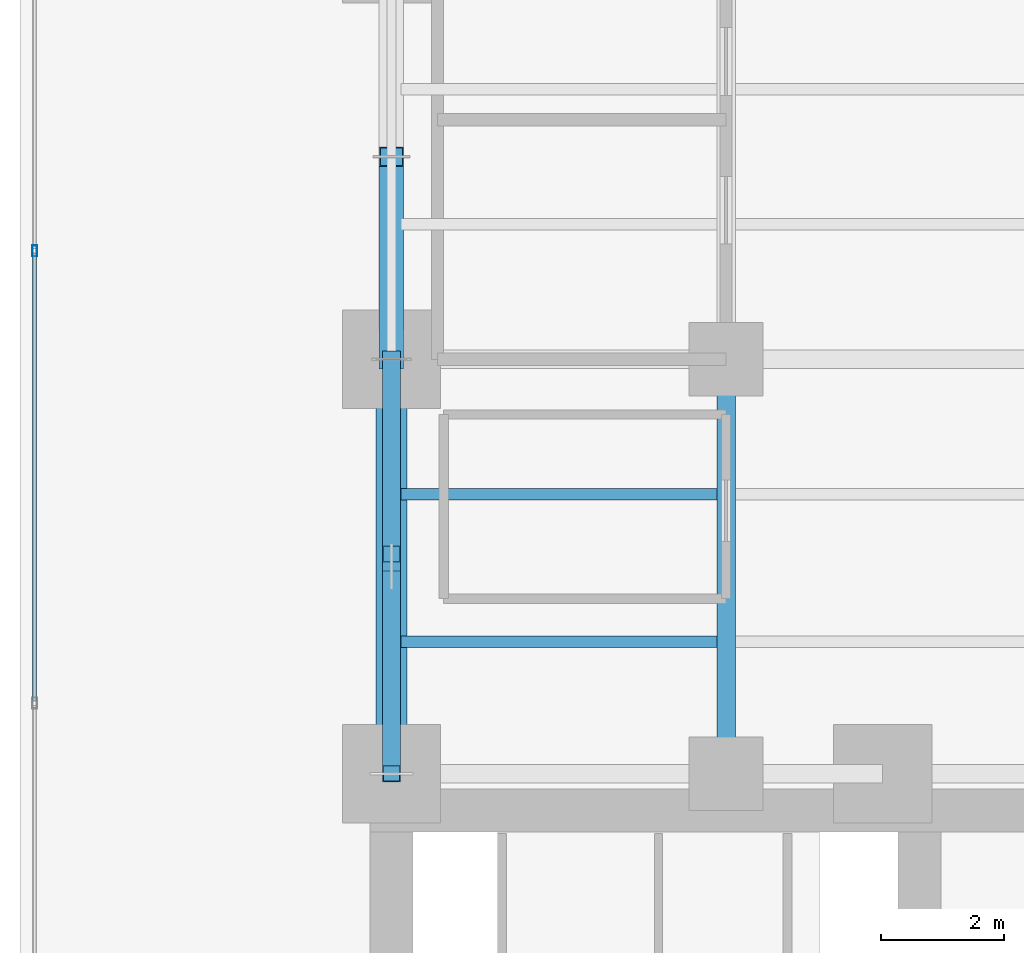
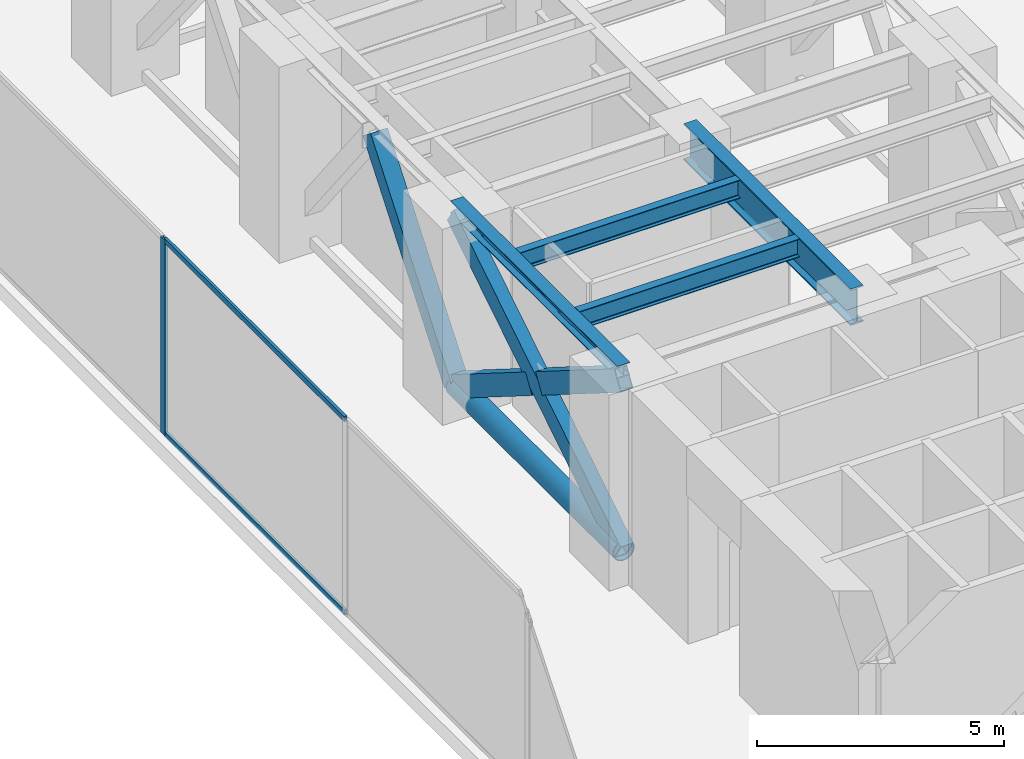
# One storey, part 9 of 36: 8 members, 4 beams, 1 element without a shape of its own.
"""IFC4 building model written with IfcOpenShell, lengths in metres."""

from ifc_helpers import new_model, si_unit, direction, frame, origin, origin_with_axes, origin_2d, place, context, subcontext, project, spatial, hollow_rectangle, hollow_circle, i_section, extrude, source, transform, mapped, material, layer, layer_set, material_profile, profile_set, type_object, element, aggregate, save


model = new_model("IFC4")

# Units and contexts
model_context = context("Model", 3, precision=1e-05, world=origin(), true_north=direction((0.0, 1.0)))
body_context = subcontext(model_context, "Body", "Model", "MODEL_VIEW")
ifc_project = project(units=[si_unit("LENGTHUNIT", "METRE"), si_unit("AREAUNIT", "SQUARE_METRE"), si_unit("VOLUMEUNIT", "CUBIC_METRE"), si_unit("PLANEANGLEUNIT", "RADIAN"), si_unit("MASSUNIT", "GRAM", prefix="KILO")], contexts=[model_context])

# Site, building, storey
site_placement = place(None, origin())
site = spatial("IfcSite", under=ifc_project, at=site_placement, CompositionType="ELEMENT")
building_placement = place(site_placement, origin())
building = spatial("IfcBuilding", under=site, at=building_placement, Name="Kolvaren Waterfront Exchange", CompositionType="ELEMENT")
storey_placement = place(building_placement, frame((0.0, 0.0, 82.800048828125)))
storey = spatial("IfcBuildingStorey", under=building, at=storey_placement, Name="L21", CompositionType="ELEMENT", Elevation=82.800048828125)

# Beams
ifc_material_1 = material(Name="Steel S355", Category="steel")
ifc_material_profile_1 = material_profile(ifc_material_1, i_section(OverallWidth=0.300048828125, OverallDepth=0.300048828125, WebThickness=0.010986328125, FlangeThickness=0.01904296875, FilletRadius=0.027099609375, at=origin_2d()), Name="HEB300")
ifc_profile_set_1 = profile_set([ifc_material_profile_1], Name="Steel S355")
beam_type_1 = type_object("IfcBeamType", Name="STR-BM-HEB300", PredefinedType="SPANDREL", material=ifc_profile_set_1)
beam_1_placement = place(storey_placement, frame((7.449951171875, 24.449951171875, 4.68994140625), z_axis=(0.0, 1.0, 0.0), x_axis=(-1.0, 0.0, 0.0)))
element("IfcBeam", 1, at=beam_1_placement, inside=storey, type_object=beam_type_1, Name="L21 north-arm edge beam 1", PredefinedType="SPANDREL", context=body_context, shape_type="SweptSolid", body=[
    extrude(i_section(OverallWidth=0.300048828125, OverallDepth=0.300048828125, WebThickness=0.010986328125, FlangeThickness=0.01904296875, FilletRadius=0.027099609375, at=origin_2d()), origin(), (0.0, 0.0, 1.0), 6.75),
])
ifc_material_profile_2 = material_profile(ifc_material_1, i_section(OverallWidth=0.300048828125, OverallDepth=0.89990234375, WebThickness=0.0185546875, FlangeThickness=0.034912109375, FilletRadius=0.030029296875, at=origin_2d()), Name="HEB900")
ifc_profile_set_2 = profile_set([ifc_material_profile_2], Name="Steel S355")
beam_type_2 = type_object("IfcBeamType", Name="STR-BM-HEB900", PredefinedType="BEAM", material=ifc_profile_set_2)
beam_2_placement = place(storey_placement, frame((12.89990234375, 24.449951171875, 4.389892578125), z_axis=(0.0, 1.0, 0.0), x_axis=(-1.0, 0.0, 0.0)))
element("IfcBeam", 2, at=beam_2_placement, inside=storey, type_object=beam_type_2, Name="L21 north-arm edge beam 1", PredefinedType="BEAM", context=body_context, shape_type="SweptSolid", body=[
    extrude(i_section(OverallWidth=0.300048828125, OverallDepth=0.89990234375, WebThickness=0.0185546875, FlangeThickness=0.034912109375, FilletRadius=0.030029296875, at=origin_2d()), origin(), (0.0, 0.0, 1.0), 6.75),
])
ifc_material_profile_3 = material_profile(ifc_material_1, i_section(OverallWidth=0.18994140625, OverallDepth=0.449951171875, WebThickness=0.009521484375, FlangeThickness=0.0146484375, FilletRadius=0.02099609375, at=origin_2d()), Name="IPE450")
ifc_profile_set_3 = profile_set([ifc_material_profile_3], Name="Steel S355")
beam_type_3 = type_object("IfcBeamType", Name="STR-BM-IPE450", PredefinedType="JOIST", material=ifc_profile_set_3)
for number, where, z_axis, x_axis, name in (
    (3, (7.60205078125, 26.60009765625, 4.614990234375), (1.0, 0.0, 0.0), (0.0, 1.0, 0.0), "L21 north-arm composite joist 1A"),
    (4, (7.60205078125, 29.0, 4.614990234375), (1.0, 0.0, 0.0), (0.0, 1.0, 0.0), "L21 north-arm composite joist 2A"),
):
    element("IfcBeam", number, at=place(storey_placement, frame(where, z_axis=z_axis, x_axis=x_axis)), inside=storey, type_object=beam_type_3, Name=name, PredefinedType="JOIST", context=body_context, shape_type="SweptSolid", body=[
        extrude(i_section(OverallWidth=0.18994140625, OverallDepth=0.449951171875, WebThickness=0.009521484375, FlangeThickness=0.0146484375, FilletRadius=0.02099609375, at=origin_2d()), origin(), (0.0, 0.0, 1.0), 5.14599609375),
    ])

# Members
ifc_material_2 = material(Name="Steel S460", Category="steel")
ifc_material_profile_4 = material_profile(ifc_material_2, hollow_circle(Radius=0.25390625, WallThickness=0.02001953125, at=origin_2d()), Name="CHS508x20")
ifc_profile_set_4 = profile_set([ifc_material_profile_4], Name="Steel S460")
member_type_1 = type_object("IfcMemberType", Name="STR-BR-CHS508", PredefinedType="CHORD", material=ifc_profile_set_4)
member_1_placement = place(storey_placement, frame((7.449951171875, 24.449951171875, 0.25), z_axis=(0.0, 1.0, 0.0), x_axis=(-1.0, 0.0, 0.0)))
element("IfcMember", 5, at=member_1_placement, inside=storey, type_object=member_type_1, Name="L21 outrigger bottom chord OA3", PredefinedType="CHORD", context=body_context, shape_type="SweptSolid", body=[
    extrude(hollow_circle(Radius=0.25390625, WallThickness=0.02001953125, at=origin_2d()), origin(), (0.0, 0.0, 1.0), 6.75),
])
ifc_material_profile_5 = material_profile(ifc_material_2, hollow_rectangle(XDim=0.300048828125, YDim=0.5, WallThickness=0.02001953125, at=origin_2d()), Name="RHS500x300x20")
ifc_profile_set_5 = profile_set([ifc_material_profile_5], Name="Steel S460")
member_type_2 = type_object("IfcMemberType", Name="STR-BR-RHS500", PredefinedType="BRACE", material=ifc_profile_set_5)
member_2_placement = place(storey_placement, frame((7.449951171875, 24.449951171875, 0.25), z_axis=(0.0, 0.846798556152, 0.531913719788), x_axis=(-1.0, 0.0, 0.0)))
element("IfcMember", 6, at=member_2_placement, inside=storey, type_object=member_type_2, Name="L21 outrigger diagonal OA3.1", PredefinedType="BRACE", context=body_context, shape_type="SweptSolid", body=[
    extrude(hollow_rectangle(XDim=0.300048828125, YDim=0.5, WallThickness=0.02001953125, at=origin_2d()), origin(), (0.0, 0.0, 1.0), 7.97119140625),
])
member_3_placement = place(storey_placement, frame((7.449951171875, 31.199951171875, 0.25), z_axis=(0.0, -0.846806007684, 0.531901856878), x_axis=(1.0, 0.0, 0.0)))
element("IfcMember", 7, at=member_3_placement, inside=storey, type_object=member_type_2, Name="L21 outrigger split diagonal OA3.2A", PredefinedType="BRACE", context=body_context, shape_type="SweptSolid", body=[
    extrude(hollow_rectangle(XDim=0.300048828125, YDim=0.5, WallThickness=0.02001953125, at=origin_2d()), origin(), (0.0, 0.0, 1.0), 3.745361328125),
])
member_4_placement = place(storey_placement, frame((7.449951171875, 27.621826171875, 2.49755859375), z_axis=(0.0, -0.846795090282, 0.531919237361), x_axis=(1.0, 0.0, 0.0)))
element("IfcMember", 8, at=member_4_placement, inside=storey, type_object=member_type_2, Name="L21 outrigger split diagonal OA3.2B", PredefinedType="BRACE", context=body_context, shape_type="SweptSolid", body=[
    extrude(hollow_rectangle(XDim=0.300048828125, YDim=0.5, WallThickness=0.02001953125, at=origin_2d()), origin(), (0.0, 0.0, 1.0), 3.745849609375),
])
ifc_material_profile_6 = material_profile(ifc_material_2, hollow_rectangle(XDim=0.39990234375, YDim=0.39990234375, WallThickness=0.02001953125, at=origin_2d()), Name="SHS400x400x20")
ifc_profile_set_6 = profile_set([ifc_material_profile_6], Name="Steel S460")
member_type_3 = type_object("IfcMemberType", Name="STR-BR-SHS400", PredefinedType="BRACE", material=ifc_profile_set_6)
member_5_placement = place(storey_placement, frame((7.449951171875, 31.199951171875, 0.25), z_axis=(0.0, 0.614204826898, 0.789146647091), x_axis=(-1.0, 0.0, 0.0)))
element("IfcMember", 9, at=member_5_placement, inside=storey, type_object=member_type_3, Name="L21 belt-truss chevron brace BT4L", PredefinedType="BRACE", context=body_context, shape_type="SweptSolid", body=[
    extrude(hollow_rectangle(XDim=0.39990234375, YDim=0.39990234375, WallThickness=0.02001953125, at=origin_2d()), origin(), (0.0, 0.0, 1.0), 5.372802734375),
])

# Curtain wall, members
ifc_material_3 = material(Name="Anodised dark bronze spandrel aluminium", Category="aluminium")
ifc_layer = layer(ifc_material_3, 0.219970703125, Name="Anodised dark bronze spandrel aluminium")
ifc_layer_set = layer_set([ifc_layer], Name="Anodised dark bronze spandrel aluminium")
curtain_wall_type = type_object("IfcCurtainWallType", Name="ARC-CW-SYS6", PredefinedType="USERDEFINED", material=ifc_layer_set)
curtain_wall_placement = place(storey_placement, origin())
curtain_wall = element("IfcCurtainWall", 10, at=curtain_wall_placement, inside=storey, type_object=curtain_wall_type, Name="L21 stick curtain wall CW6 (CW-L21-W)", ObjectType="STICK CURTAIN WALL", PredefinedType="USERDEFINED")
ifc_material_4 = material(Name="Anodised bronze aluminium 6063-T6", Category="aluminium")
ifc_material_profile_7 = material_profile(ifc_material_4, hollow_rectangle(XDim=0.074951171875, YDim=0.179931640625, WallThickness=0.00439453125, at=origin_2d()), Name="ALU-MUL-180x75x4.5")
ifc_profile_set_7 = profile_set([ifc_material_profile_7], Name="Anodised bronze aluminium 6063-T6")
member_type_4 = type_object("IfcMemberType", Name="ARC-CWM-180", PredefinedType="MULLION", material=ifc_profile_set_7)
shared_shape_1 = source(origin_with_axes(), body_context, "Body", "SweptSolid", [
    extrude(hollow_rectangle(XDim=0.074951171875, YDim=0.179931640625, WallThickness=0.00439453125, at=origin_2d()), origin(), (0.0, 0.0, 1.0), 4.83984375),
])
member_6_placement = place(storey_placement, frame((1.639892578125, 32.966552734375, 0.0), z_axis=(0.0, 0.0, 1.0), x_axis=(-1.0, 0.0, 0.0)))
member_6 = element("IfcMember", 11, at=member_6_placement, type_object=member_type_4, Name="CW6 mullion 5", PredefinedType="MULLION", context=body_context, shape_type="MappedRepresentation", body=[
    mapped(shared_shape_1, transform((0.0, 0.0, 0.0), x_axis=(1.0, 0.0, 0.0), y_axis=(0.0, 1.0, 0.0), z_axis=(0.0, 0.0, 1.0), scale=1.0)),
])
ifc_material_profile_8 = material_profile(ifc_material_4, hollow_rectangle(XDim=0.06494140625, YDim=0.1298828125, WallThickness=0.00390625, at=origin_2d()), Name="ALU-TRN-130x65x4")
ifc_profile_set_8 = profile_set([ifc_material_profile_8], Name="Anodised bronze aluminium 6063-T6")
member_type_5 = type_object("IfcMemberType", Name="ARC-CWT-130", PredefinedType="USERDEFINED", material=ifc_profile_set_8)
shared_shape_2 = source(origin_with_axes(), body_context, "Body", "SweptSolid", [
    extrude(hollow_rectangle(XDim=0.06494140625, YDim=0.1298828125, WallThickness=0.00390625, at=origin_2d()), origin(), (0.0, 0.0, 1.0), 7.291748046875),
])
member_7_placement = place(storey_placement, frame((1.639892578125, 25.637451171875, 0.032470703125), z_axis=(0.0, 1.0, 0.0), x_axis=(-1.0, 0.0, 0.0)))
member_7 = element("IfcMember", 12, at=member_7_placement, type_object=member_type_5, Name="CW6 transom 4.1", ObjectType="TRANSOM", PredefinedType="USERDEFINED", context=body_context, shape_type="MappedRepresentation", body=[
    mapped(shared_shape_2, transform((0.0, 0.0, 0.0), x_axis=(1.0, 0.0, 0.0), y_axis=(0.0, 1.0, 0.0), z_axis=(0.0, 0.0, 1.0), scale=1.0)),
])
member_8_placement = place(storey_placement, frame((1.639892578125, 25.637451171875, 4.807373046875), z_axis=(0.0, 1.0, 0.0), x_axis=(-1.0, 0.0, 0.0)))
member_8 = element("IfcMember", 13, at=member_8_placement, type_object=member_type_5, Name="CW6 transom 4.2", ObjectType="TRANSOM", PredefinedType="USERDEFINED", context=body_context, shape_type="MappedRepresentation", body=[
    mapped(shared_shape_2, transform((0.0, 0.0, 0.0), x_axis=(1.0, 0.0, 0.0), y_axis=(0.0, 1.0, 0.0), z_axis=(0.0, 0.0, 1.0), scale=1.0)),
])
aggregate(curtain_wall, [member_6, member_7, member_8])

save(model, "model.ifc")
